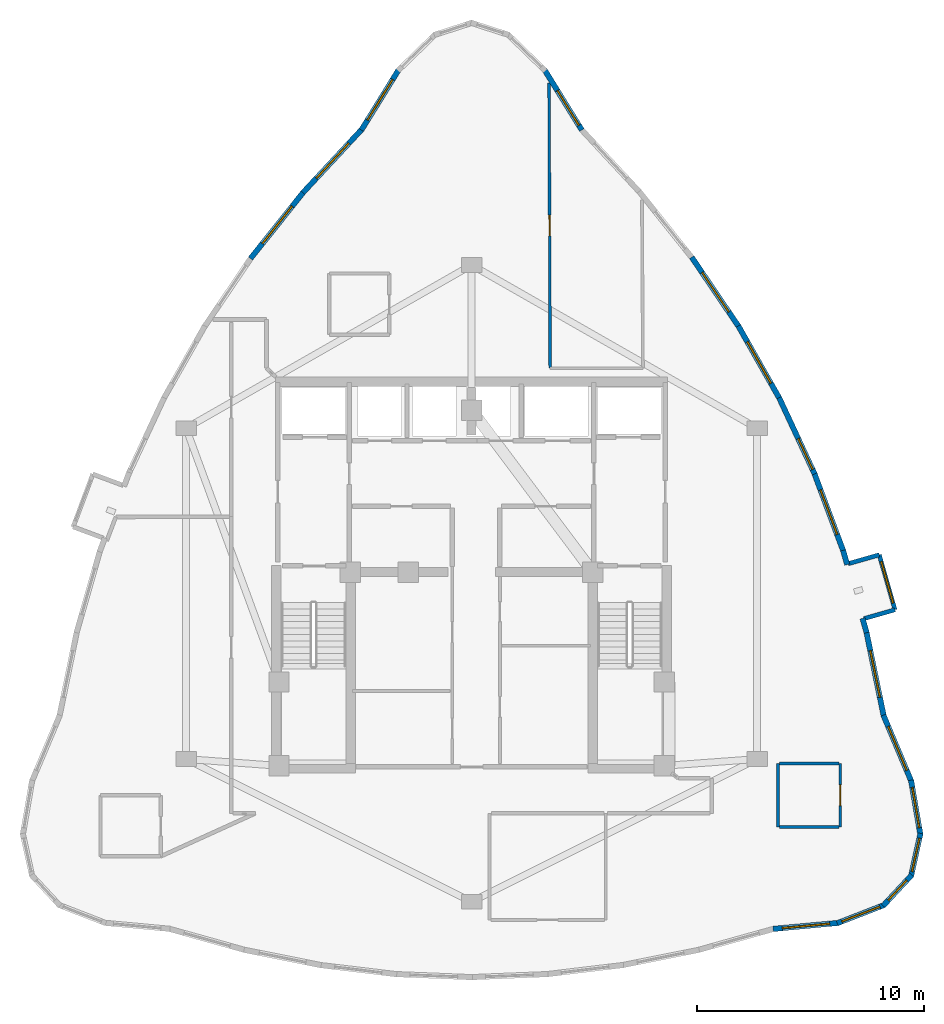
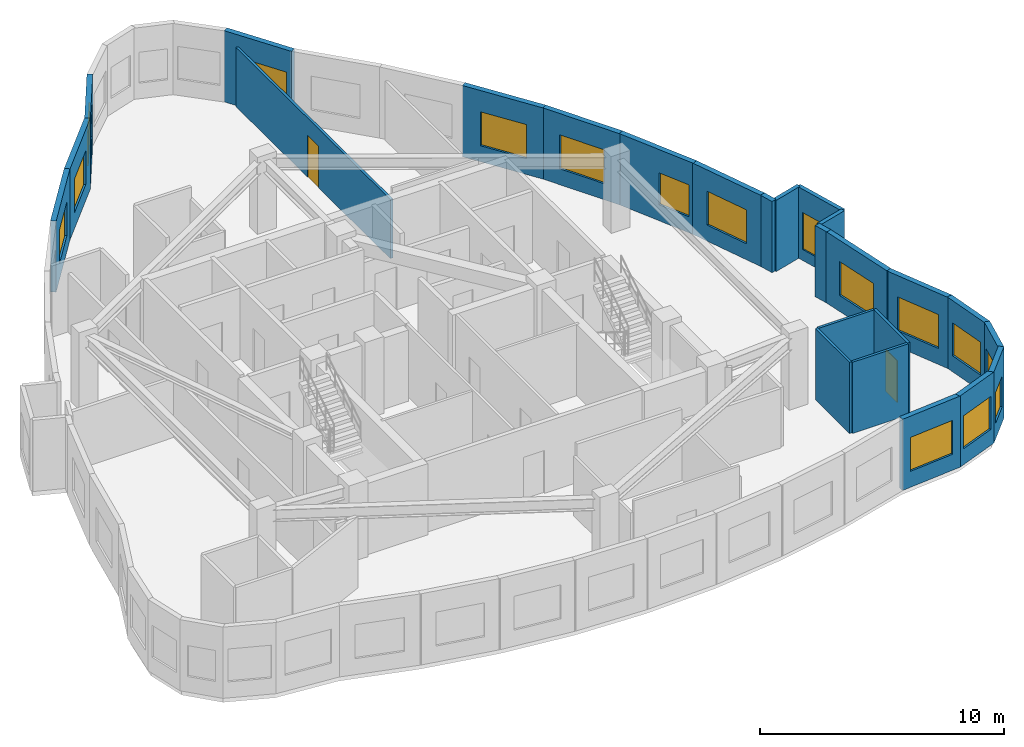
# One storey, part 7 of 9: 25 walls, 16 windows, 2 doors, 18 openings.
"""IFC4 building model written with IfcOpenShell, lengths in metres."""

import ifcopenshell
import ifcopenshell.guid

model = None  # the IFC model being written
_history = None  # IfcOwnerHistory: only IFC2X3 demands one
_inside = {}  # id of a spatial element -> (the spatial element, [elements in it])
_under = {}  # id of a project, library or spatial element -> (it, [spatial elements below it])
_declared = {}  # id of a project -> (the project, [libraries it declares])
_typed = {}  # id of a type object -> (the type object, [elements of that type])
_made_of = {}  # id of a material, layer set ... -> (it, [elements and type objects made of it])


def new_model(schema):
    """Start an empty IFC model of exactly this schema.

    Asked for "IFC4X3", IfcOpenShell would pick the latest addendum, in which some entities
    have other attributes; the version numbers below select the first issue.
    IFC2X3 requires an IfcOwnerHistory on every rooted entity: one is made here for all.
    """
    global model, _history
    if schema == "IFC4X3":
        model = ifcopenshell.file(schema_version=(4, 3, 0, 0))
    else:
        model = ifcopenshell.file(schema=schema)
    _inside.clear()
    _under.clear()
    _declared.clear()
    _typed.clear()
    _made_of.clear()
    _history = None
    if model.schema == "IFC2X3":
        org = make("IfcOrganization", Name="unknown")
        user = make(
            "IfcPersonAndOrganization",
            ThePerson=make("IfcPerson", FamilyName="unknown"),
            TheOrganization=org,
        )
        app = make(
            "IfcApplication",
            ApplicationDeveloper=org,
            Version="unknown",
            ApplicationFullName="unknown",
            ApplicationIdentifier="unknown",
        )
        _history = make(
            "IfcOwnerHistory",
            OwningUser=user,
            OwningApplication=app,
            ChangeAction="ADDED",
            CreationDate=0,
        )
    return model


def make(cls, **values):
    """One entity of the class cls with the attributes given. An attribute that is None is left unset."""
    return model.create_entity(
        cls, **{name: value for name, value in values.items() if value is not None}
    )


def rooted(cls, **values):
    """An entity with a GlobalId (a new one), such as an element, a storey or a relation."""
    return make(cls, GlobalId=ifcopenshell.guid.new(), OwnerHistory=_history, **values)


def si_unit(unit_type, name, prefix=None):
    """IfcSIUnit, for example si_unit("LENGTHUNIT", "METRE", prefix="MILLI")."""
    return make("IfcSIUnit", UnitType=unit_type, Prefix=prefix, Name=name)


def assignment(units):
    """IfcUnitAssignment: the units of a project."""
    return None if units is None else make("IfcUnitAssignment", Units=units)


def point(xyz):
    """IfcCartesianPoint."""
    return None if xyz is None else make("IfcCartesianPoint", Coordinates=xyz)


def direction(xyz):
    """IfcDirection."""
    return None if xyz is None else make("IfcDirection", DirectionRatios=xyz)


def frame(location, z_axis=None, x_axis=None):
    """IfcAxis2Placement3D, a coordinate frame: its origin and axes. An axis left out is left unset."""
    return make(
        "IfcAxis2Placement3D",
        Location=point(location),
        Axis=direction(z_axis),
        RefDirection=direction(x_axis),
    )


def frame_2d(location, x_axis=None):
    """IfcAxis2Placement2D, a coordinate frame in the plane: its origin and x axis."""
    return make(
        "IfcAxis2Placement2D", Location=point(location), RefDirection=direction(x_axis)
    )


def origin():
    """The frame at (0, 0, 0) with its axes left unset."""
    return frame((0.0, 0.0, 0.0))


def place(relative_to, where):
    """IfcLocalPlacement: puts the frame where relative to a parent placement (None: the world)."""
    return make(
        "IfcLocalPlacement", PlacementRelTo=relative_to, RelativePlacement=where
    )


def context(
    kind, dimensions, precision=None, world=None, true_north=None, identifier=None
):
    """IfcGeometricRepresentationContext, for example the 3D "Model" context."""
    return make(
        "IfcGeometricRepresentationContext",
        ContextIdentifier=identifier,
        ContextType=kind,
        CoordinateSpaceDimension=dimensions,
        Precision=precision,
        WorldCoordinateSystem=world,
        TrueNorth=true_north,
    )


def subcontext(parent, identifier, kind, view, scale=None):
    """IfcGeometricRepresentationSubContext, for example "Body" below "Model"."""
    return make(
        "IfcGeometricRepresentationSubContext",
        ContextIdentifier=identifier,
        ContextType=kind,
        ParentContext=parent,
        TargetScale=scale,
        TargetView=view,
    )


def project(units=None, contexts=None):
    """IfcProject with its units and contexts."""
    return rooted(
        "IfcProject",
        Name="project",
        RepresentationContexts=contexts,
        UnitsInContext=assignment(units),
    )


def spatial(cls, under=None, at=None, **own):
    """A site, building, storey or space (cls), placed at a placement, below another one or the project."""
    s = rooted(cls, ObjectPlacement=at, **own)
    if under is not None:
        _under.setdefault(under.id(), (under, []))[1].append(s)
    return s


def profile(cls, at=None, kind="AREA", **sizes):
    """A parametric profile (cls). Its sizes go by their IFC names, for example OverallWidth=200.0."""
    return make(cls, ProfileType=kind, Position=at, **sizes)


def rectangle(**sizes):
    """IfcRectangleProfileDef."""
    return profile("IfcRectangleProfileDef", **sizes)


def extrude(swept, where, along, depth):
    """IfcExtrudedAreaSolid: the profile swept, set in the frame where, extruded along a direction by depth."""
    return make(
        "IfcExtrudedAreaSolid",
        SweptArea=swept,
        Position=where,
        ExtrudedDirection=direction(along),
        Depth=depth,
    )


def shape(context_of_items, identifier, shape_type, items):
    """IfcShapeRepresentation: the items that make up one representation, for example the "Body"."""
    return make(
        "IfcShapeRepresentation",
        ContextOfItems=context_of_items,
        RepresentationIdentifier=identifier,
        RepresentationType=shape_type,
        Items=items,
    )


def material(Name=None, Category=None):
    """IfcMaterial."""
    return make("IfcMaterial", Name=Name, Category=Category)


def layer(
    of_material, thickness, ventilated=None, Name=None, Category=None, Priority=None
):
    """IfcMaterialLayer: one layer of a wall or slab, of a material (None: an air gap)."""
    return make(
        "IfcMaterialLayer",
        Material=of_material,
        LayerThickness=thickness,
        IsVentilated=ventilated,
        Name=Name,
        Category=Category,
        Priority=Priority,
    )


def layer_set(layers, Name=None):
    """IfcMaterialLayerSet."""
    return make("IfcMaterialLayerSet", MaterialLayers=layers, LayerSetName=Name)


def made_of(thing, what):
    """Note that an element or type object is made of a material, layer set ...; save() writes the relation."""
    if what is not None:
        _made_of.setdefault(what.id(), (what, []))[1].append(thing)
    return thing


def type_object(cls, material=None, **own):
    """A type object (cls), such as IfcWallType, which elements share."""
    return made_of(rooted(cls, **own), material)


def element(
    cls,
    number,
    at=None,
    inside=None,
    cuts=None,
    type_object=None,
    material=None,
    context=None,
    identifier="Body",
    shape_type=None,
    held_by="IfcProductDefinitionShape",
    body=None,
    shapes=None,
    **own,
):
    """One element of the class cls, such as IfcWall. Its Tag is "e" and its number.

    at: its placement. inside: the storey or other place that contains it. cuts: it is an
    opening in that element (IfcRelVoidsElement). A single representation is given by context,
    identifier, shape_type and body (its items); several are given by shapes. held_by: the class
    of the entity that holds the representations. save() writes the other relations.
    """
    e = rooted(cls, Tag="e%d" % number, ObjectPlacement=at, **own)
    if body is not None:
        shapes = [shape(context, identifier, shape_type, body)]
    if shapes is not None:
        e.Representation = make(held_by, Representations=shapes)
    if inside is not None:
        _inside.setdefault(inside.id(), (inside, []))[1].append(e)
    if cuts is not None:
        rooted(
            "IfcRelVoidsElement", RelatingBuildingElement=cuts, RelatedOpeningElement=e
        )
    if type_object is not None:
        _typed.setdefault(type_object.id(), (type_object, []))[1].append(e)
    return made_of(e, material)


def fill(opening, filler):
    """IfcRelFillsElement: the door or window that sits in an opening."""
    return rooted(
        "IfcRelFillsElement",
        RelatingOpeningElement=opening,
        RelatedBuildingElement=filler,
    )


def aggregate(whole, parts):
    """IfcRelAggregates: a whole, such as a stair, and the parts it consists of."""
    return rooted("IfcRelAggregates", RelatingObject=whole, RelatedObjects=parts)


def save(model, path):
    """Write the relations noted so far, then the file.

    IfcRelAggregates (storeys below a building ...), IfcRelContainedInSpatialStructure (elements
    in a storey), IfcRelDefinesByType, IfcRelAssociatesMaterial and IfcRelDeclares: one each for
    every whole, place, type object, material and project.
    """
    for whole, parts in _under.values():
        aggregate(whole, parts)
    for where, things in _inside.values():
        rooted(
            "IfcRelContainedInSpatialStructure",
            RelatedElements=things,
            RelatingStructure=where,
        )
    for kind, things in _typed.values():
        rooted("IfcRelDefinesByType", RelatedObjects=things, RelatingType=kind)
    for what, things in _made_of.values():
        rooted("IfcRelAssociatesMaterial", RelatedObjects=things, RelatingMaterial=what)
    for by, libraries in _declared.values():
        rooted("IfcRelDeclares", RelatingContext=by, RelatedDefinitions=libraries)
    model.write(path)


model = new_model("IFC4")

# Units and contexts
model_context = context("Model", 3, precision=1e-05, world=origin(), true_north=direction((0.0, 1.0)))
body_context = subcontext(model_context, "Body", "Model", "MODEL_VIEW")
ifc_project = project(units=[si_unit("LENGTHUNIT", "METRE"), si_unit("AREAUNIT", "SQUARE_METRE"), si_unit("VOLUMEUNIT", "CUBIC_METRE"), si_unit("PLANEANGLEUNIT", "RADIAN"), si_unit("MASSUNIT", "GRAM", prefix="KILO")], contexts=[model_context])

# Site, building, storey
site_placement = place(None, origin())
site = spatial("IfcSite", under=ifc_project, at=site_placement, CompositionType="ELEMENT")
building_placement = place(site_placement, origin())
building = spatial("IfcBuilding", under=site, at=building_placement, Name="Miruveldt Soraemaru", CompositionType="ELEMENT")
storey_placement = place(building_placement, frame((0.0, 0.0, 263.550048828125)))
storey = spatial("IfcBuildingStorey", under=building, at=storey_placement, Name="L72", CompositionType="ELEMENT", Elevation=263.550048828125)

# Walls
ifc_material_1 = material(Name="White powder-coated aluminium EN AW-6060 T6", Category="aluminium")
ifc_layer_1 = layer(ifc_material_1, 0.18994140625, Name="White powder-coated aluminium EN AW-6060 T6", Category="aluminium")
ifc_layer_set_1 = layer_set([ifc_layer_1], Name="White powder-coated aluminium EN AW-6060 T6")
wall_type_1 = type_object("IfcWallType", Name="WALL-BAY-ALU190", PredefinedType="SOLIDWALL", material=ifc_layer_set_1)
for number, where, z_axis, x_axis, name in (
    (1, (61.317138671875, 41.9951171875, 0.0), (0.0, 0.0, 1.0), (0.961439844578, 0.275015318223, 0.0), "L72 Bay Window Side Cheek 2L"),
    (2, (61.992919921875, 44.813720703125, 0.0), (0.0, 0.0, 1.0), (-0.961394527133, -0.275173696414, 0.0), "L72 Bay Window Side Cheek 2R"),
):
    element("IfcWall", number, at=place(storey_placement, frame(where, z_axis=z_axis, x_axis=x_axis)), inside=storey, type_object=wall_type_1, Name=name, PredefinedType="SOLIDWALL", context=body_context, shape_type="SweptSolid", body=[
        extrude(rectangle(XDim=1.4248046875, YDim=0.18994140625, at=frame_2d((0.71240234375, 0.0))), origin(), (0.0, 0.0, 1.0), 3.56494140625),
    ])

# Wall, opening, window
wall_1_placement = place(storey_placement, frame((62.68701171875, 42.386962890625, 0.0), z_axis=(0.0, 0.0, 1.0), x_axis=(-0.274989392416, 0.961447260154, 0.0)))
wall_1 = element("IfcWall", 3, at=wall_1_placement, inside=storey, type_object=wall_type_1, Name="L72 Bay Window Front Frame 2", PredefinedType="SOLIDWALL", context=body_context, shape_type="SweptSolid", body=[
    extrude(rectangle(XDim=2.524169921875, YDim=0.18994140625, at=frame_2d((1.26220703125, 0.0))), origin(), (0.0, 0.0, 1.0), 3.56494140625),
])
opening_1_placement = place(wall_1_placement, frame((0.31201171875, 0.0, 0.550048828125)))
opening_1 = element("IfcOpeningElement", 4, at=opening_1_placement, cuts=wall_1, Name="Opening WN-6", PredefinedType="OPENING", context=body_context, shape_type="SweptSolid", body=[
    extrude(rectangle(XDim=1.89990234375, YDim=1.85009765625, at=frame_2d((0.949951171875, 0.925048828125))), frame((0.0, 0.10498046875, 0.0), z_axis=(0.0, -1.0, 0.0), x_axis=(1.0, 0.0, 0.0)), (0.0, 0.0, 1.0), 0.2099609375),
])
ifc_material_2 = material(Name="Triple low-e insulated glazing", Category="glass")
window_type_1 = type_object("IfcWindowType", Name="WIN-BAYW-1900x1850", PartitioningType="SINGLE_PANEL", PredefinedType="WINDOW", material=ifc_material_2)
window_1_placement = place(opening_1_placement, origin())
window_1 = element("IfcWindow", 5, at=window_1_placement, inside=storey, type_object=window_type_1, Name="L72 Projecting Bay Window 2", OverallHeight=1.85009765625, OverallWidth=1.89990234375, PartitioningType="SINGLE_PANEL", PredefinedType="WINDOW", context=body_context, shape_type="SweptSolid", body=[
    extrude(rectangle(XDim=1.89990234375, YDim=1.85009765625, at=frame_2d((0.949951171875, 0.925048828125))), frame((0.0, 0.030029296875, 0.0), z_axis=(0.0, -1.0, 0.0), x_axis=(1.0, 0.0, 0.0)), (0.0, 0.0, 1.0), 0.06005859375),
])
fill(opening_1, window_1)

ifc_material_3 = material(Name="Precast concrete C45/55 (45 MPa)", Category="concrete")
ifc_layer_2 = layer(ifc_material_3, 0.239990234375, Name="Precast concrete C45/55 (45 MPa)", Category="concrete")
ifc_layer_set_2 = layer_set([ifc_layer_2], Name="Precast concrete C45/55 (45 MPa)")
wall_type_2 = type_object("IfcWallType", Name="WALL-EXT-PC240", PredefinedType="SOLIDWALL", material=ifc_layer_set_2)
wall_2_placement = place(storey_placement, frame((48.865234375, 63.559814453125, 0.0), z_axis=(0.0, 0.0, 1.0), x_axis=(-0.526038838818, 0.850460545855, 0.0)))
wall_2 = element("IfcWall", 6, at=wall_2_placement, inside=storey, type_object=wall_type_2, Name="L72 Precast Concrete Facade Wall 1", PredefinedType="SOLIDWALL", context=body_context, shape_type="SweptSolid", body=[
    extrude(rectangle(XDim=3.14111328125, YDim=0.239990234375, at=frame_2d((1.570556640625, 0.0))), origin(), (0.0, 0.0, 1.0), 3.56494140625),
])
opening_2_placement = place(wall_2_placement, frame((0.24609375, 0.0, 0.800048828125)))
opening_2 = element("IfcOpeningElement", 7, at=opening_2_placement, cuts=wall_2, Name="Opening WN-2", PredefinedType="OPENING", context=body_context, shape_type="SweptSolid", body=[
    extrude(rectangle(XDim=1.800048828125, YDim=1.64990234375, at=frame_2d((0.89990234375, 0.824951171875))), frame((0.0, 0.1298828125, 0.0), z_axis=(0.0, -1.0, 0.0), x_axis=(1.0, 0.0, 0.0)), (0.0, 0.0, 1.0), 0.260009765625),
])
window_type_2 = type_object("IfcWindowType", Name="WIN-PUNCH-1800x1650", PartitioningType="SINGLE_PANEL", PredefinedType="WINDOW", material=ifc_material_2)
window_2_placement = place(opening_2_placement, origin())
window_2 = element("IfcWindow", 8, at=window_2_placement, inside=storey, type_object=window_type_2, Name="L72 Punched Triple-Glazed Window 01.1", OverallHeight=1.64990234375, OverallWidth=1.800048828125, PartitioningType="SINGLE_PANEL", PredefinedType="WINDOW", context=body_context, shape_type="SweptSolid", body=[
    extrude(rectangle(XDim=1.800048828125, YDim=1.64990234375, at=frame_2d((0.89990234375, 0.824951171875))), frame((0.0, 0.030029296875, 0.0), z_axis=(0.0, -1.0, 0.0), x_axis=(1.0, 0.0, 0.0)), (0.0, 0.0, 1.0), 0.06005859375),
])
fill(opening_2, window_2)

wall_3_placement = place(storey_placement, frame((40.787109375, 66.231201171875, 0.0), z_axis=(0.0, 0.0, 1.0), x_axis=(-0.526038838818, -0.850460545855, 0.0)))
wall_3 = element("IfcWall", 9, at=wall_3_placement, inside=storey, type_object=wall_type_2, Name="L72 Precast Concrete Facade Wall 6", PredefinedType="SOLIDWALL", context=body_context, shape_type="SweptSolid", body=[
    extrude(rectangle(XDim=3.14111328125, YDim=0.239990234375, at=frame_2d((1.570556640625, 0.0))), origin(), (0.0, 0.0, 1.0), 3.56494140625),
])
opening_3_placement = place(wall_3_placement, frame((0.52001953125, 0.0, 0.800048828125)))
opening_3 = element("IfcOpeningElement", 10, at=opening_3_placement, cuts=wall_3, Name="Opening WN-1", PredefinedType="OPENING", context=body_context, shape_type="SweptSolid", body=[
    extrude(rectangle(XDim=2.10009765625, YDim=1.699951171875, at=frame_2d((1.050048828125, 0.85009765625))), frame((0.0, 0.1298828125, 0.0), z_axis=(0.0, -1.0, 0.0), x_axis=(1.0, 0.0, 0.0)), (0.0, 0.0, 1.0), 0.260009765625),
])
window_type_3 = type_object("IfcWindowType", Name="WIN-PUNCH-2100x1700", PartitioningType="SINGLE_PANEL", PredefinedType="WINDOW", material=ifc_material_2)
window_3_placement = place(opening_3_placement, origin())
window_3 = element("IfcWindow", 11, at=window_3_placement, inside=storey, type_object=window_type_3, Name="L72 Punched Triple-Glazed Window 06.1", OverallHeight=1.699951171875, OverallWidth=2.10009765625, PartitioningType="SINGLE_PANEL", PredefinedType="WINDOW", context=body_context, shape_type="SweptSolid", body=[
    extrude(rectangle(XDim=2.10009765625, YDim=1.699951171875, at=frame_2d((1.050048828125, 0.85009765625))), frame((0.0, 0.030029296875, 0.0), z_axis=(0.0, -1.0, 0.0), x_axis=(1.0, 0.0, 0.0)), (0.0, 0.0, 1.0), 0.06005859375),
])
fill(opening_3, window_3)

wall_4_placement = place(storey_placement, frame((39.177001953125, 63.615234375, 0.0), z_axis=(0.0, 0.0, 1.0), x_axis=(-0.680891235859, -0.732384547168, 0.0)))
wall_4 = element("IfcWall", 12, at=wall_4_placement, inside=storey, type_object=wall_type_2, Name="L72 Precast Concrete Facade Wall 7", PredefinedType="SOLIDWALL", context=body_context, shape_type="SweptSolid", body=[
    extrude(rectangle(XDim=3.849853515625, YDim=0.239990234375, at=frame_2d((1.9248046875, 0.0))), origin(), (0.0, 0.0, 1.0), 3.56494140625),
])
opening_4_placement = place(wall_4_placement, frame((0.875, 0.0, 0.800048828125)))
opening_4 = element("IfcOpeningElement", 13, at=opening_4_placement, cuts=wall_4, Name="Opening WN-1", PredefinedType="OPENING", context=body_context, shape_type="SweptSolid", body=[
    extrude(rectangle(XDim=2.10009765625, YDim=1.699951171875, at=frame_2d((1.050048828125, 0.85009765625))), frame((0.0, 0.1298828125, 0.0), z_axis=(0.0, -1.0, 0.0), x_axis=(1.0, 0.0, 0.0)), (0.0, 0.0, 1.0), 0.260009765625),
])
window_4_placement = place(opening_4_placement, origin())
window_4 = element("IfcWindow", 14, at=window_4_placement, inside=storey, type_object=window_type_3, Name="L72 Punched Triple-Glazed Window 07.1", OverallHeight=1.699951171875, OverallWidth=2.10009765625, PartitioningType="SINGLE_PANEL", PredefinedType="WINDOW", context=body_context, shape_type="SweptSolid", body=[
    extrude(rectangle(XDim=2.10009765625, YDim=1.699951171875, at=frame_2d((1.050048828125, 0.85009765625))), frame((0.0, 0.030029296875, 0.0), z_axis=(0.0, -1.0, 0.0), x_axis=(1.0, 0.0, 0.0)), (0.0, 0.0, 1.0), 0.06005859375),
])
fill(opening_4, window_4)

wall_5_placement = place(storey_placement, frame((36.601318359375, 60.8486328125, 0.0), z_axis=(0.0, 0.0, 1.0), x_axis=(-0.623631731432, -0.781718276332, 0.0)))
wall_5 = element("IfcWall", 15, at=wall_5_placement, inside=storey, type_object=wall_type_2, Name="L72 Precast Concrete Facade Wall 8", PredefinedType="SOLIDWALL", context=body_context, shape_type="SweptSolid", body=[
    extrude(rectangle(XDim=3.7822265625, YDim=0.239990234375, at=frame_2d((1.89111328125, 0.0))), origin(), (0.0, 0.0, 1.0), 3.56494140625),
])
opening_5_placement = place(wall_5_placement, frame((0.841064453125, 0.0, 0.800048828125)))
opening_5 = element("IfcOpeningElement", 16, at=opening_5_placement, cuts=wall_5, Name="Opening WN-1", PredefinedType="OPENING", context=body_context, shape_type="SweptSolid", body=[
    extrude(rectangle(XDim=2.10009765625, YDim=1.699951171875, at=frame_2d((1.050048828125, 0.85009765625))), frame((0.0, 0.1298828125, 0.0), z_axis=(0.0, -1.0, 0.0), x_axis=(1.0, 0.0, 0.0)), (0.0, 0.0, 1.0), 0.260009765625),
])
window_5_placement = place(opening_5_placement, origin())
window_5 = element("IfcWindow", 17, at=window_5_placement, inside=storey, type_object=window_type_3, Name="L72 Punched Triple-Glazed Window 08.1", OverallHeight=1.699951171875, OverallWidth=2.10009765625, PartitioningType="SINGLE_PANEL", PredefinedType="WINDOW", context=body_context, shape_type="SweptSolid", body=[
    extrude(rectangle(XDim=2.10009765625, YDim=1.699951171875, at=frame_2d((1.050048828125, 0.85009765625))), frame((0.0, 0.030029296875, 0.0), z_axis=(0.0, -1.0, 0.0), x_axis=(1.0, 0.0, 0.0)), (0.0, 0.0, 1.0), 0.06005859375),
])
fill(opening_5, window_5)

wall_6_placement = place(storey_placement, frame((57.3076171875, 28.30078125, 0.0), z_axis=(0.0, 0.0, 1.0), x_axis=(0.995762187916, 0.09196556484, 0.0)))
wall_6 = element("IfcWall", 18, at=wall_6_placement, inside=storey, type_object=wall_type_2, Name="L72 Precast Concrete Facade Wall 29", PredefinedType="SOLIDWALL", context=body_context, shape_type="SweptSolid", body=[
    extrude(rectangle(XDim=2.90966796875, YDim=0.239990234375, at=frame_2d((1.454833984375, 0.0))), origin(), (0.0, 0.0, 1.0), 3.56494140625),
])
opening_6_placement = place(wall_6_placement, frame((0.405029296875, 0.0, 0.800048828125)))
opening_6 = element("IfcOpeningElement", 19, at=opening_6_placement, cuts=wall_6, Name="Opening WN-1", PredefinedType="OPENING", context=body_context, shape_type="SweptSolid", body=[
    extrude(rectangle(XDim=2.10009765625, YDim=1.699951171875, at=frame_2d((1.050048828125, 0.85009765625))), frame((0.0, 0.1298828125, 0.0), z_axis=(0.0, -1.0, 0.0), x_axis=(1.0, 0.0, 0.0)), (0.0, 0.0, 1.0), 0.260009765625),
])
window_6_placement = place(opening_6_placement, origin())
window_6 = element("IfcWindow", 20, at=window_6_placement, inside=storey, type_object=window_type_3, Name="L72 Punched Triple-Glazed Window 29.1", OverallHeight=1.699951171875, OverallWidth=2.10009765625, PartitioningType="SINGLE_PANEL", PredefinedType="WINDOW", context=body_context, shape_type="SweptSolid", body=[
    extrude(rectangle(XDim=2.10009765625, YDim=1.699951171875, at=frame_2d((1.050048828125, 0.85009765625))), frame((0.0, 0.030029296875, 0.0), z_axis=(0.0, -1.0, 0.0), x_axis=(1.0, 0.0, 0.0)), (0.0, 0.0, 1.0), 0.06005859375),
])
fill(opening_6, window_6)

wall_7_placement = place(storey_placement, frame((60.13720703125, 28.552490234375, 0.0), z_axis=(0.0, 0.0, 1.0), x_axis=(0.932289188826, 0.361713793486, 0.0)))
wall_7 = element("IfcWall", 21, at=wall_7_placement, inside=storey, type_object=wall_type_2, Name="L72 Precast Concrete Facade Wall 30", PredefinedType="SOLIDWALL", context=body_context, shape_type="SweptSolid", body=[
    extrude(rectangle(XDim=2.236083984375, YDim=0.239990234375, at=frame_2d((1.1181640625, 0.0))), origin(), (0.0, 0.0, 1.0), 3.56494140625),
])
opening_7_placement = place(wall_7_placement, frame((0.218017578125, 0.0, 0.800048828125)))
opening_7 = element("IfcOpeningElement", 22, at=opening_7_placement, cuts=wall_7, Name="Opening WN-2", PredefinedType="OPENING", context=body_context, shape_type="SweptSolid", body=[
    extrude(rectangle(XDim=1.800048828125, YDim=1.64990234375, at=frame_2d((0.89990234375, 0.824951171875))), frame((0.0, 0.1298828125, 0.0), z_axis=(0.0, -1.0, 0.0), x_axis=(1.0, 0.0, 0.0)), (0.0, 0.0, 1.0), 0.260009765625),
])
window_7_placement = place(opening_7_placement, origin())
window_7 = element("IfcWindow", 23, at=window_7_placement, inside=storey, type_object=window_type_2, Name="L72 Punched Triple-Glazed Window 30.1", OverallHeight=1.64990234375, OverallWidth=1.800048828125, PartitioningType="SINGLE_PANEL", PredefinedType="WINDOW", context=body_context, shape_type="SweptSolid", body=[
    extrude(rectangle(XDim=1.800048828125, YDim=1.64990234375, at=frame_2d((0.89990234375, 0.824951171875))), frame((0.0, 0.030029296875, 0.0), z_axis=(0.0, -1.0, 0.0), x_axis=(1.0, 0.0, 0.0)), (0.0, 0.0, 1.0), 0.06005859375),
])
fill(opening_7, window_7)

wall_8_placement = place(storey_placement, frame((62.16552734375, 29.322998046875, 0.0), z_axis=(0.0, 0.0, 1.0), x_axis=(0.680177974589, 0.733047012738, 0.0)))
wall_8 = element("IfcWall", 24, at=wall_8_placement, inside=storey, type_object=wall_type_2, Name="L72 Precast Concrete Facade Wall 31", PredefinedType="SOLIDWALL", context=body_context, shape_type="SweptSolid", body=[
    extrude(rectangle(XDim=1.851806640625, YDim=0.239990234375, at=frame_2d((0.92578125, 0.0))), origin(), (0.0, 0.0, 1.0), 3.56494140625),
])
opening_8_placement = place(wall_8_placement, frame((0.325927734375, 0.0, 0.780029296875)))
opening_8 = element("IfcOpeningElement", 25, at=opening_8_placement, cuts=wall_8, Name="Opening WN-4", PredefinedType="OPENING", context=body_context, shape_type="SweptSolid", body=[
    extrude(rectangle(XDim=1.199951171875, YDim=1.550048828125, at=frame_2d((0.60009765625, 0.77490234375))), frame((0.0, 0.1298828125, 0.0), z_axis=(0.0, -1.0, 0.0), x_axis=(1.0, 0.0, 0.0)), (0.0, 0.0, 1.0), 0.260009765625),
])
window_type_4 = type_object("IfcWindowType", Name="WIN-PUNCH-1200x1550", PartitioningType="SINGLE_PANEL", PredefinedType="WINDOW", material=ifc_material_2)
window_8_placement = place(opening_8_placement, origin())
window_8 = element("IfcWindow", 26, at=window_8_placement, inside=storey, type_object=window_type_4, Name="L72 Punched Triple-Glazed Window 31.1", OverallHeight=1.550048828125, OverallWidth=1.199951171875, PartitioningType="SINGLE_PANEL", PredefinedType="WINDOW", context=body_context, shape_type="SweptSolid", body=[
    extrude(rectangle(XDim=1.199951171875, YDim=1.550048828125, at=frame_2d((0.60009765625, 0.77490234375))), frame((0.0, 0.030029296875, 0.0), z_axis=(0.0, -1.0, 0.0), x_axis=(1.0, 0.0, 0.0)), (0.0, 0.0, 1.0), 0.06005859375),
])
fill(opening_8, window_8)

wall_9_placement = place(storey_placement, frame((63.3935546875, 30.620361328125, 0.0), z_axis=(0.0, 0.0, 1.0), x_axis=(0.2157991576, 0.976437772507, 0.0)))
wall_9 = element("IfcWall", 27, at=wall_9_placement, inside=storey, type_object=wall_type_2, Name="L72 Precast Concrete Facade Wall 32", PredefinedType="SOLIDWALL", context=body_context, shape_type="SweptSolid", body=[
    extrude(rectangle(XDim=1.9423828125, YDim=0.239990234375, at=frame_2d((0.97119140625, 0.0))), origin(), (0.0, 0.0, 1.0), 3.56494140625),
])
opening_9_placement = place(wall_9_placement, frame((0.220947265625, 0.0, 0.800048828125)))
opening_9 = element("IfcOpeningElement", 28, at=opening_9_placement, cuts=wall_9, Name="Opening WN-3", PredefinedType="OPENING", context=body_context, shape_type="SweptSolid", body=[
    extrude(rectangle(XDim=1.5, YDim=1.60009765625, at=frame_2d((0.75, 0.800048828125))), frame((0.0, 0.1298828125, 0.0), z_axis=(0.0, -1.0, 0.0), x_axis=(1.0, 0.0, 0.0)), (0.0, 0.0, 1.0), 0.260009765625),
])
window_type_5 = type_object("IfcWindowType", Name="WIN-PUNCH-1500x1600", PartitioningType="SINGLE_PANEL", PredefinedType="WINDOW", material=ifc_material_2)
window_9_placement = place(opening_9_placement, origin())
window_9 = element("IfcWindow", 29, at=window_9_placement, inside=storey, type_object=window_type_5, Name="L72 Punched Triple-Glazed Window 32.1", OverallHeight=1.60009765625, OverallWidth=1.5, PartitioningType="SINGLE_PANEL", PredefinedType="WINDOW", context=body_context, shape_type="SweptSolid", body=[
    extrude(rectangle(XDim=1.5, YDim=1.60009765625, at=frame_2d((0.75, 0.800048828125))), frame((0.0, 0.030029296875, 0.0), z_axis=(0.0, -1.0, 0.0), x_axis=(1.0, 0.0, 0.0)), (0.0, 0.0, 1.0), 0.06005859375),
])
fill(opening_9, window_9)

wall_10_placement = place(storey_placement, frame((63.81103515625, 32.4482421875, 0.0), z_axis=(0.0, 0.0, 1.0), x_axis=(-0.169347449278, 0.985556412096, 0.0)))
wall_10 = element("IfcWall", 30, at=wall_10_placement, inside=storey, type_object=wall_type_2, Name="L72 Precast Concrete Facade Wall 33", PredefinedType="SOLIDWALL", context=body_context, shape_type="SweptSolid", body=[
    extrude(rectangle(XDim=2.455078125, YDim=0.239990234375, at=frame_2d((1.2275390625, 0.0))), origin(), (0.0, 0.0, 1.0), 3.56494140625),
])
opening_10_placement = place(wall_10_placement, frame((0.327880859375, 0.0, 0.800048828125)))
opening_10 = element("IfcOpeningElement", 31, at=opening_10_placement, cuts=wall_10, Name="Opening WN-2", PredefinedType="OPENING", context=body_context, shape_type="SweptSolid", body=[
    extrude(rectangle(XDim=1.800048828125, YDim=1.64990234375, at=frame_2d((0.89990234375, 0.824951171875))), frame((0.0, 0.1298828125, 0.0), z_axis=(0.0, -1.0, 0.0), x_axis=(1.0, 0.0, 0.0)), (0.0, 0.0, 1.0), 0.260009765625),
])
window_10_placement = place(opening_10_placement, origin())
window_10 = element("IfcWindow", 32, at=window_10_placement, inside=storey, type_object=window_type_2, Name="L72 Punched Triple-Glazed Window 33.1", OverallHeight=1.64990234375, OverallWidth=1.800048828125, PartitioningType="SINGLE_PANEL", PredefinedType="WINDOW", context=body_context, shape_type="SweptSolid", body=[
    extrude(rectangle(XDim=1.800048828125, YDim=1.64990234375, at=frame_2d((0.89990234375, 0.824951171875))), frame((0.0, 0.030029296875, 0.0), z_axis=(0.0, -1.0, 0.0), x_axis=(1.0, 0.0, 0.0)), (0.0, 0.0, 1.0), 0.06005859375),
])
fill(opening_10, window_10)

wall_11_placement = place(storey_placement, frame((63.414794921875, 34.80126953125, 0.0), z_axis=(0.0, 0.0, 1.0), x_axis=(-0.388662919485, 0.921380016615, 0.0)))
wall_11 = element("IfcWall", 33, at=wall_11_placement, inside=storey, type_object=wall_type_2, Name="L72 Precast Concrete Facade Wall 34", PredefinedType="SOLIDWALL", context=body_context, shape_type="SweptSolid", body=[
    extrude(rectangle(XDim=3.18798828125, YDim=0.239990234375, at=frame_2d((1.593994140625, 0.0))), origin(), (0.0, 0.0, 1.0), 3.56494140625),
])
opening_11_placement = place(wall_11_placement, frame((0.5439453125, 0.0, 0.800048828125)))
opening_11 = element("IfcOpeningElement", 34, at=opening_11_placement, cuts=wall_11, Name="Opening WN-1", PredefinedType="OPENING", context=body_context, shape_type="SweptSolid", body=[
    extrude(rectangle(XDim=2.10009765625, YDim=1.699951171875, at=frame_2d((1.050048828125, 0.85009765625))), frame((0.0, 0.1298828125, 0.0), z_axis=(0.0, -1.0, 0.0), x_axis=(1.0, 0.0, 0.0)), (0.0, 0.0, 1.0), 0.260009765625),
])
window_11_placement = place(opening_11_placement, origin())
window_11 = element("IfcWindow", 35, at=window_11_placement, inside=storey, type_object=window_type_3, Name="L72 Punched Triple-Glazed Window 34.1", OverallHeight=1.699951171875, OverallWidth=2.10009765625, PartitioningType="SINGLE_PANEL", PredefinedType="WINDOW", context=body_context, shape_type="SweptSolid", body=[
    extrude(rectangle(XDim=2.10009765625, YDim=1.699951171875, at=frame_2d((1.050048828125, 0.85009765625))), frame((0.0, 0.030029296875, 0.0), z_axis=(0.0, -1.0, 0.0), x_axis=(1.0, 0.0, 0.0)), (0.0, 0.0, 1.0), 0.06005859375),
])
fill(opening_11, window_11)

wall_12_placement = place(storey_placement, frame((62.196533203125, 37.672119140625, 0.0), z_axis=(0.0, 0.0, 1.0), x_axis=(-0.201588507815, 0.979470302519, 0.0)))
wall_12 = element("IfcWall", 36, at=wall_12_placement, inside=storey, type_object=wall_type_2, Name="L72 Precast Concrete Facade Wall 35", PredefinedType="SOLIDWALL", context=body_context, shape_type="SweptSolid", body=[
    extrude(rectangle(XDim=3.85009765625, YDim=0.239990234375, at=frame_2d((1.925048828125, 0.0))), origin(), (0.0, 0.0, 1.0), 3.56494140625),
])
opening_12_placement = place(wall_12_placement, frame((0.875, 0.0, 0.800048828125)))
opening_12 = element("IfcOpeningElement", 37, at=opening_12_placement, cuts=wall_12, Name="Opening WN-1", PredefinedType="OPENING", context=body_context, shape_type="SweptSolid", body=[
    extrude(rectangle(XDim=2.10009765625, YDim=1.699951171875, at=frame_2d((1.050048828125, 0.85009765625))), frame((0.0, 0.1298828125, 0.0), z_axis=(0.0, -1.0, 0.0), x_axis=(1.0, 0.0, 0.0)), (0.0, 0.0, 1.0), 0.260009765625),
])
window_12_placement = place(opening_12_placement, origin())
window_12 = element("IfcWindow", 38, at=window_12_placement, inside=storey, type_object=window_type_3, Name="L72 Punched Triple-Glazed Window 35.1", OverallHeight=1.699951171875, OverallWidth=2.10009765625, PartitioningType="SINGLE_PANEL", PredefinedType="WINDOW", context=body_context, shape_type="SweptSolid", body=[
    extrude(rectangle(XDim=2.10009765625, YDim=1.699951171875, at=frame_2d((1.050048828125, 0.85009765625))), frame((0.0, 0.030029296875, 0.0), z_axis=(0.0, -1.0, 0.0), x_axis=(1.0, 0.0, 0.0)), (0.0, 0.0, 1.0), 0.06005859375),
])
fill(opening_12, window_12)

# Walls
for number, where, z_axis, x_axis, name in (
    (39, (61.43701171875, 41.375, 0.0), (0.0, 0.0, 1.0), (-0.274476506227, 0.961593805892, 0.0), "L72 Precast Pier Wall 36A"),
    (40, (60.578369140625, 44.377685546875, 0.0), (0.0, 0.0, 1.0), (-0.274818961634, 0.961495989761, 0.0), "L72 Precast Pier Wall 36B"),
):
    element("IfcWall", number, at=place(storey_placement, frame(where, z_axis=z_axis, x_axis=x_axis)), inside=storey, type_object=wall_type_2, Name=name, PredefinedType="SOLIDWALL", context=body_context, shape_type="SweptSolid", body=[
        extrude(rectangle(XDim=0.6591796875, YDim=0.239990234375, at=frame_2d((0.32958984375, 0.0))), origin(), (0.0, 0.0, 1.0), 3.56494140625),
    ])

# Wall, opening, window
wall_13_placement = place(storey_placement, frame((60.4189453125, 44.94482421875, 0.0), z_axis=(0.0, 0.0, 1.0), x_axis=(-0.349010010303, 0.937118996023, 0.0)))
wall_13 = element("IfcWall", 41, at=wall_13_placement, inside=storey, type_object=wall_type_2, Name="L72 Precast Concrete Facade Wall 37", PredefinedType="SOLIDWALL", context=body_context, shape_type="SweptSolid", body=[
    extrude(rectangle(XDim=3.736083984375, YDim=0.239990234375, at=frame_2d((1.8681640625, 0.0))), origin(), (0.0, 0.0, 1.0), 3.56494140625),
])
opening_13_placement = place(wall_13_placement, frame((0.818115234375, 0.0, 0.800048828125)))
opening_13 = element("IfcOpeningElement", 42, at=opening_13_placement, cuts=wall_13, Name="Opening WN-1", PredefinedType="OPENING", context=body_context, shape_type="SweptSolid", body=[
    extrude(rectangle(XDim=2.10009765625, YDim=1.699951171875, at=frame_2d((1.050048828125, 0.85009765625))), frame((0.0, 0.1298828125, 0.0), z_axis=(0.0, -1.0, 0.0), x_axis=(1.0, 0.0, 0.0)), (0.0, 0.0, 1.0), 0.260009765625),
])
window_13_placement = place(opening_13_placement, origin())
window_13 = element("IfcWindow", 43, at=window_13_placement, inside=storey, type_object=window_type_3, Name="L72 Punched Triple-Glazed Window 37.1", OverallHeight=1.699951171875, OverallWidth=2.10009765625, PartitioningType="SINGLE_PANEL", PredefinedType="WINDOW", context=body_context, shape_type="SweptSolid", body=[
    extrude(rectangle(XDim=2.10009765625, YDim=1.699951171875, at=frame_2d((1.050048828125, 0.85009765625))), frame((0.0, 0.030029296875, 0.0), z_axis=(0.0, -1.0, 0.0), x_axis=(1.0, 0.0, 0.0)), (0.0, 0.0, 1.0), 0.06005859375),
])
fill(opening_13, window_13)

wall_14_placement = place(storey_placement, frame((59.14208984375, 48.381591796875, 0.0), z_axis=(0.0, 0.0, 1.0), x_axis=(-0.422345429955, 0.906434960599, 0.0)))
wall_14 = element("IfcWall", 44, at=wall_14_placement, inside=storey, type_object=wall_type_2, Name="L72 Precast Concrete Facade Wall 38", PredefinedType="SOLIDWALL", context=body_context, shape_type="SweptSolid", body=[
    extrude(rectangle(XDim=3.712890625, YDim=0.239990234375, at=frame_2d((1.8564453125, 0.0))), origin(), (0.0, 0.0, 1.0), 3.56494140625),
])
opening_14_placement = place(wall_14_placement, frame((0.216064453125, 0.0, 0.800048828125)))
opening_14 = element("IfcOpeningElement", 45, at=opening_14_placement, cuts=wall_14, Name="Opening WN-3", PredefinedType="OPENING", context=body_context, shape_type="SweptSolid", body=[
    extrude(rectangle(XDim=1.5, YDim=1.60009765625, at=frame_2d((0.75, 0.800048828125))), frame((0.0, 0.1298828125, 0.0), z_axis=(0.0, -1.0, 0.0), x_axis=(1.0, 0.0, 0.0)), (0.0, 0.0, 1.0), 0.260009765625),
])
window_14_placement = place(opening_14_placement, origin())
window_14 = element("IfcWindow", 46, at=window_14_placement, inside=storey, type_object=window_type_5, Name="L72 Punched Triple-Glazed Window 38.1", OverallHeight=1.60009765625, OverallWidth=1.5, PartitioningType="SINGLE_PANEL", PredefinedType="WINDOW", context=body_context, shape_type="SweptSolid", body=[
    extrude(rectangle(XDim=1.5, YDim=1.60009765625, at=frame_2d((0.75, 0.800048828125))), frame((0.0, 0.030029296875, 0.0), z_axis=(0.0, -1.0, 0.0), x_axis=(1.0, 0.0, 0.0)), (0.0, 0.0, 1.0), 0.06005859375),
])
fill(opening_14, window_14)

wall_15_placement = place(storey_placement, frame((57.606201171875, 51.68505859375, 0.0), z_axis=(0.0, 0.0, 1.0), x_axis=(-0.49336758037, 0.869820918718, 0.0)))
wall_15 = element("IfcWall", 47, at=wall_15_placement, inside=storey, type_object=wall_type_2, Name="L72 Precast Concrete Facade Wall 39", PredefinedType="SOLIDWALL", context=body_context, shape_type="SweptSolid", body=[
    extrude(rectangle(XDim=3.712890625, YDim=0.239990234375, at=frame_2d((1.8564453125, 0.0))), origin(), (0.0, 0.0, 1.0), 3.56494140625),
])
opening_15_placement = place(wall_15_placement, frame((0.805908203125, 0.0, 0.800048828125)))
opening_15 = element("IfcOpeningElement", 48, at=opening_15_placement, cuts=wall_15, Name="Opening WN-1", PredefinedType="OPENING", context=body_context, shape_type="SweptSolid", body=[
    extrude(rectangle(XDim=2.10009765625, YDim=1.699951171875, at=frame_2d((1.050048828125, 0.85009765625))), frame((0.0, 0.1298828125, 0.0), z_axis=(0.0, -1.0, 0.0), x_axis=(1.0, 0.0, 0.0)), (0.0, 0.0, 1.0), 0.260009765625),
])
window_15_placement = place(opening_15_placement, origin())
window_15 = element("IfcWindow", 49, at=window_15_placement, inside=storey, type_object=window_type_3, Name="L72 Punched Triple-Glazed Window 39.1", OverallHeight=1.699951171875, OverallWidth=2.10009765625, PartitioningType="SINGLE_PANEL", PredefinedType="WINDOW", context=body_context, shape_type="SweptSolid", body=[
    extrude(rectangle(XDim=2.10009765625, YDim=1.699951171875, at=frame_2d((1.050048828125, 0.85009765625))), frame((0.0, 0.030029296875, 0.0), z_axis=(0.0, -1.0, 0.0), x_axis=(1.0, 0.0, 0.0)), (0.0, 0.0, 1.0), 0.06005859375),
])
fill(opening_15, window_15)

wall_16_placement = place(storey_placement, frame((55.811279296875, 54.85498046875, 0.0), z_axis=(0.0, 0.0, 1.0), x_axis=(-0.560822138973, 0.827936306993, 0.0)))
wall_16 = element("IfcWall", 50, at=wall_16_placement, inside=storey, type_object=wall_type_2, Name="L72 Precast Concrete Facade Wall 40", PredefinedType="SOLIDWALL", context=body_context, shape_type="SweptSolid", body=[
    extrude(rectangle(XDim=3.736328125, YDim=0.239990234375, at=frame_2d((1.8681640625, 0.0))), origin(), (0.0, 0.0, 1.0), 3.56494140625),
])
opening_16_placement = place(wall_16_placement, frame((0.818115234375, 0.0, 0.800048828125)))
opening_16 = element("IfcOpeningElement", 51, at=opening_16_placement, cuts=wall_16, Name="Opening WN-1", PredefinedType="OPENING", context=body_context, shape_type="SweptSolid", body=[
    extrude(rectangle(XDim=2.10009765625, YDim=1.699951171875, at=frame_2d((1.050048828125, 0.85009765625))), frame((0.0, 0.1298828125, 0.0), z_axis=(0.0, -1.0, 0.0), x_axis=(1.0, 0.0, 0.0)), (0.0, 0.0, 1.0), 0.260009765625),
])
window_16_placement = place(opening_16_placement, origin())
window_16 = element("IfcWindow", 52, at=window_16_placement, inside=storey, type_object=window_type_3, Name="L72 Punched Triple-Glazed Window 40.1", OverallHeight=1.699951171875, OverallWidth=2.10009765625, PartitioningType="SINGLE_PANEL", PredefinedType="WINDOW", context=body_context, shape_type="SweptSolid", body=[
    extrude(rectangle(XDim=2.10009765625, YDim=1.699951171875, at=frame_2d((1.050048828125, 0.85009765625))), frame((0.0, 0.030029296875, 0.0), z_axis=(0.0, -1.0, 0.0), x_axis=(1.0, 0.0, 0.0)), (0.0, 0.0, 1.0), 0.06005859375),
])
fill(opening_16, window_16)

# Wall, opening, door
ifc_material_4 = material(Name="Gypsum plasterboard lining", Category="gypsum")
ifc_layer_3 = layer(ifc_material_4, 0.1201171875, Name="Gypsum plasterboard lining", Category="gypsum")
ifc_layer_set_3 = layer_set([ifc_layer_3], Name="Gypsum plasterboard lining")
wall_type_3 = type_object("IfcWallType", Name="WALL-INT-P120", PredefinedType="PARTITIONING", material=ifc_layer_set_3)
wall_17_placement = place(storey_placement, frame((47.466064453125, 53.050048828125, 0.0), z_axis=(0.0, 0.0, 1.0), x_axis=(-0.003742242037, 0.999992997788, 0.0)))
wall_17 = element("IfcWall", 53, at=wall_17_placement, inside=storey, type_object=wall_type_3, Name="L72 Partition Wall 15", PredefinedType="PARTITIONING", context=body_context, shape_type="SweptSolid", body=[
    extrude(rectangle(XDim=12.591064453125, YDim=0.1201171875, at=frame_2d((6.29541015625, 0.0))), origin(), (0.0, 0.0, 1.0), 2.96484375),
])
opening_17_placement = place(wall_17_placement, frame((5.8359375, 0.0, 0.0)))
opening_17 = element("IfcOpeningElement", 54, at=opening_17_placement, cuts=wall_17, Name="Opening D3A", PredefinedType="OPENING", context=body_context, shape_type="SweptSolid", body=[
    extrude(rectangle(XDim=0.919921875, YDim=2.10009765625, at=frame_2d((0.4599609375, 1.050048828125))), frame((0.0, 0.070068359375, 0.0), z_axis=(0.0, -1.0, 0.0), x_axis=(1.0, 0.0, 0.0)), (0.0, 0.0, 1.0), 0.14013671875),
])
ifc_material_5 = material(Name="Anodised aluminium EN AW-6063 T6", Category="aluminium")
door_type = type_object("IfcDoorType", Name="DOOR-INT-920", OperationType="NOTDEFINED", PredefinedType="DOOR", material=ifc_material_5)
door_1_placement = place(opening_17_placement, origin())
door_1 = element("IfcDoor", 55, at=door_1_placement, inside=storey, type_object=door_type, Name="L72 Unit 7201 BD1 Door", OperationType="SINGLE_SWING_LEFT", OverallHeight=2.10009765625, OverallWidth=0.919921875, PredefinedType="DOOR", context=body_context, shape_type="SweptSolid", body=[
    extrude(rectangle(XDim=0.919921875, YDim=2.10009765625, at=frame_2d((0.4599609375, 1.050048828125))), frame((0.0, 0.02490234375, 0.0), z_axis=(0.0, -1.0, 0.0), x_axis=(1.0, 0.0, 0.0)), (0.0, 0.0, 1.0), 0.050048828125),
])
fill(opening_17, door_1)

wall_18_placement = place(storey_placement, frame((60.27490234375, 32.801025390625, 0.0), z_axis=(0.0, 0.0, 1.0), x_axis=(0.0, 1.0, 0.0)))
wall_18 = element("IfcWall", 56, at=wall_18_placement, inside=storey, type_object=wall_type_3, Name="L72 Partition Wall 21", PredefinedType="PARTITIONING", context=body_context, shape_type="SweptSolid", body=[
    extrude(rectangle(XDim=2.800048828125, YDim=0.1201171875, at=frame_2d((1.39990234375, 0.0))), origin(), (0.0, 0.0, 1.0), 3.56494140625),
])
opening_18_placement = place(wall_18_placement, frame((0.93994140625, 0.0, 0.0)))
opening_18 = element("IfcOpeningElement", 57, at=opening_18_placement, cuts=wall_18, Name="Opening D3A", PredefinedType="OPENING", context=body_context, shape_type="SweptSolid", body=[
    extrude(rectangle(XDim=0.919921875, YDim=2.10009765625, at=frame_2d((0.4599609375, 1.050048828125))), frame((0.0, 0.070068359375, 0.0), z_axis=(0.0, -1.0, 0.0), x_axis=(1.0, 0.0, 0.0)), (0.0, 0.0, 1.0), 0.14013671875),
])
door_2_placement = place(opening_18_placement, origin())
door_2 = element("IfcDoor", 58, at=door_2_placement, inside=storey, type_object=door_type, Name="L72 Unit CL02 KIT Door", OperationType="SINGLE_SWING_RIGHT", OverallHeight=2.10009765625, OverallWidth=0.919921875, PredefinedType="DOOR", context=body_context, shape_type="SweptSolid", body=[
    extrude(rectangle(XDim=0.919921875, YDim=2.10009765625, at=frame_2d((0.4599609375, 1.050048828125))), frame((0.0, 0.02490234375, 0.0), z_axis=(0.0, -1.0, 0.0), x_axis=(1.0, 0.0, 0.0)), (0.0, 0.0, 1.0), 0.050048828125),
])
fill(opening_18, door_2)

# Walls
wall_19_placement = place(storey_placement, frame((57.52490234375, 35.60107421875, 0.0), z_axis=(0.0, 0.0, 1.0), x_axis=(0.0, -1.0, 0.0)))
element("IfcWall", 59, at=wall_19_placement, inside=storey, type_object=wall_type_3, Name="L72 Partition Wall 23", PredefinedType="PARTITIONING", context=body_context, shape_type="SweptSolid", body=[
    extrude(rectangle(XDim=2.800048828125, YDim=0.1201171875, at=frame_2d((1.39990234375, 0.0))), origin(), (0.0, 0.0, 1.0), 3.56494140625),
])
for number, where, z_axis, x_axis, name in (
    (60, (60.215087890625, 35.60107421875, 0.0), (0.0, 0.0, 1.0), (-1.0, 0.0, 0.0), "L72 Partition Wall 22"),
    (61, (57.5849609375, 32.801025390625, 0.0), (0.0, 0.0, 1.0), (1.0, 0.0, 0.0), "L72 Partition Wall 24"),
):
    element("IfcWall", number, at=place(storey_placement, frame(where, z_axis=z_axis, x_axis=x_axis)), inside=storey, type_object=wall_type_3, Name=name, PredefinedType="PARTITIONING", context=body_context, shape_type="SweptSolid", body=[
        extrude(rectangle(XDim=2.630126953125, YDim=0.1201171875, at=frame_2d((1.31494140625, 0.0))), origin(), (0.0, 0.0, 1.0), 3.56494140625),
    ])

save(model, "model.ifc")
